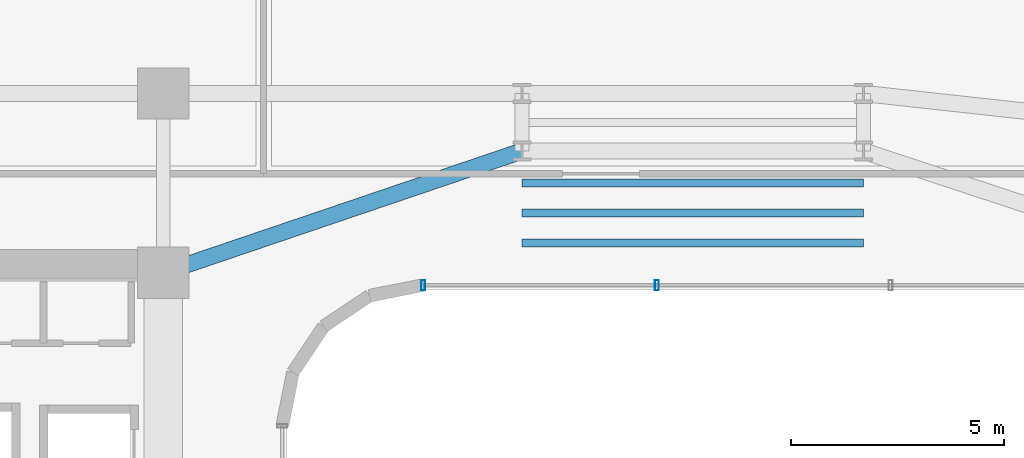
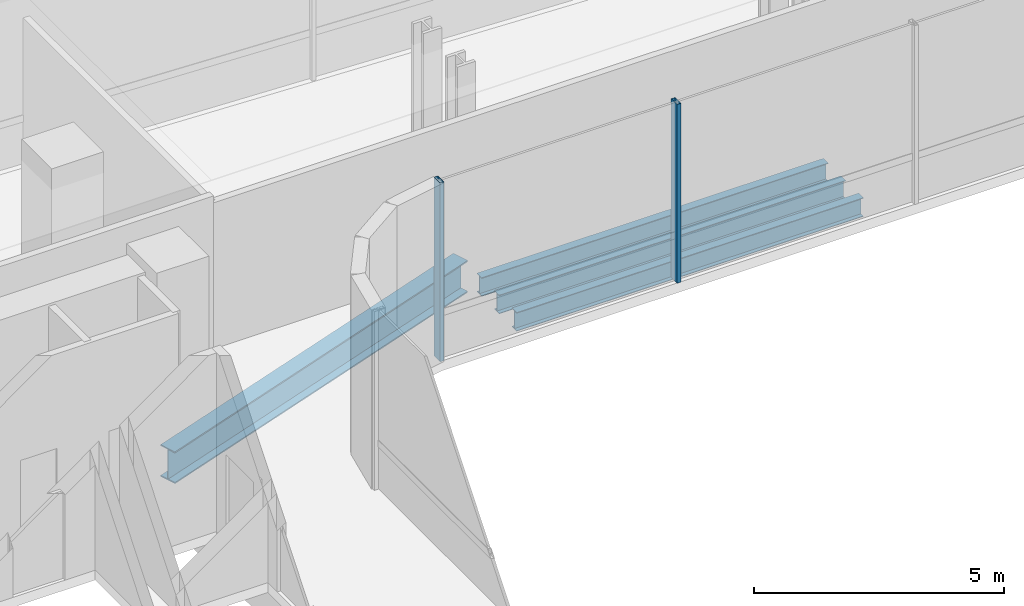
# One storey, part 10 of 32: 4 beams, 2 members, 1 element without a shape of its own.
"""IFC4 building model written with IfcOpenShell, lengths in metres."""

from ifc_helpers import new_model, si_unit, direction, frame, origin, origin_2d, place, context, subcontext, project, spatial, hollow_rectangle, i_section, extrude, source, transform, mapped, material, material_profile, profile_set, type_object, element, aggregate, save


model = new_model("IFC4")

# Units and contexts
model_context = context("Model", 3, precision=1e-05, world=origin(), true_north=direction((0.0, 1.0)))
body_context = subcontext(model_context, "Body", "Model", "MODEL_VIEW")
ifc_project = project(units=[si_unit("LENGTHUNIT", "METRE"), si_unit("AREAUNIT", "SQUARE_METRE"), si_unit("VOLUMEUNIT", "CUBIC_METRE"), si_unit("PLANEANGLEUNIT", "RADIAN"), si_unit("MASSUNIT", "GRAM", prefix="KILO")], contexts=[model_context])

# Site, building, storey
site_placement = place(None, origin())
site = spatial("IfcSite", under=ifc_project, at=site_placement, CompositionType="ELEMENT")
building_placement = place(site_placement, origin())
building = spatial("IfcBuilding", under=site, at=building_placement, Name="Valdorenza Pilgrim Sanctuary Tower", CompositionType="ELEMENT")
storey_placement = place(building_placement, frame((0.0, 0.0, 101.10009765625)))
storey = spatial("IfcBuildingStorey", under=building, at=storey_placement, Name="L25", CompositionType="ELEMENT", Elevation=101.10009765625)

# Beams
ifc_material_1 = material(Name="Steel ASTM A992 Grade 50", Category="steel")
ifc_material_profile_1 = material_profile(ifc_material_1, i_section(OverallWidth=0.382080078125, OverallDepth=0.779052734375, WebThickness=0.01806640625, FlangeThickness=0.030029296875, at=origin_2d()), Name="W30X191")
ifc_profile_set_1 = profile_set([ifc_material_profile_1], Name="Steel ASTM A992 Grade 50")
beam_type_1 = type_object("IfcBeamType", Name="STR-BM-GRD-W30", PredefinedType="BEAM", material=ifc_profile_set_1)
shared_shape_1 = source(origin(), body_context, "Body", "SweptSolid", [
    extrude(i_section(OverallWidth=0.382080078125, OverallDepth=0.779052734375, WebThickness=0.01806640625, FlangeThickness=0.030029296875, at=origin_2d()), origin(), (0.0, 0.0, 1.0), 8.8701171875),
])
beam_placement = place(storey_placement, frame((-12.39990234375, 10.60009765625, -0.629638671875), z_axis=(0.946982588361, 0.321284885018, 0.0), x_axis=(-0.321284885018, 0.946982588361, 0.0)))
element("IfcBeam", 1, at=beam_placement, inside=storey, type_object=beam_type_1, Name="L25 Floor Girder KNK-G1", PredefinedType="BEAM", context=body_context, shape_type="MappedRepresentation", body=[
    mapped(shared_shape_1, transform((0.0, 0.0, 0.0), x_axis=(1.0, 0.0, 0.0), y_axis=(0.0, 1.0, 0.0), z_axis=(0.0, 0.0, 1.0), scale=1.0)),
])
ifc_material_profile_2 = material_profile(ifc_material_1, i_section(OverallWidth=0.19091796875, OverallDepth=0.45703125, WebThickness=0.009033203125, FlangeThickness=0.014404296875, at=origin_2d()), Name="W18X50")
ifc_profile_set_2 = profile_set([ifc_material_profile_2], Name="Steel ASTM A992 Grade 50")
beam_type_2 = type_object("IfcBeamType", Name="STR-BM-JST-W18B", PredefinedType="JOIST", material=ifc_profile_set_2)
shared_shape_2 = source(origin(), body_context, "Body", "SweptSolid", [
    extrude(i_section(OverallWidth=0.19091796875, OverallDepth=0.45703125, WebThickness=0.009033203125, FlangeThickness=0.014404296875, at=origin_2d()), origin(), (0.0, 0.0, 1.0), 8.0),
])
for number, where, z_axis, x_axis, name in (
    (2, (-4.0, 11.300048828125, -0.468505859375), (1.0, 0.0, 0.0), (0.0, 1.0, 0.0), "L25 Knuckle Composite Joist JST-KNK-1"),
    (3, (-4.0, 12.0, -0.468505859375), (1.0, 0.0, 0.0), (0.0, 1.0, 0.0), "L25 Knuckle Composite Joist JST-KNK-2"),
    (4, (-4.0, 12.699951171875, -0.468505859375), (1.0, 0.0, 0.0), (0.0, 1.0, 0.0), "L25 Knuckle Composite Joist JST-KNK-3"),
):
    element("IfcBeam", number, at=place(storey_placement, frame(where, z_axis=z_axis, x_axis=x_axis)), inside=storey, type_object=beam_type_2, Name=name, PredefinedType="JOIST", context=body_context, shape_type="MappedRepresentation", body=[
        mapped(shared_shape_2, transform((0.0, 0.0, 0.0), x_axis=(1.0, 0.0, 0.0), y_axis=(0.0, 1.0, 0.0), z_axis=(0.0, 0.0, 1.0), scale=1.0)),
    ])

# Curtain wall, members
ifc_material_2 = material(Name="Curtain-wall IGU glazing", Category="glass")
curtain_wall_type = type_object("IfcCurtainWallType", Name="CW-SYS-04", PredefinedType="NOTDEFINED", material=ifc_material_2)
curtain_wall_placement = place(storey_placement, origin())
curtain_wall = element("IfcCurtainWall", 5, at=curtain_wall_placement, inside=storey, type_object=curtain_wall_type, Name="L25 Curtain Wall CW-L25-1-36", PredefinedType="NOTDEFINED")
ifc_material_3 = material(Name="Anodised aluminium AW-6060", Category="aluminium")
ifc_material_profile_3 = material_profile(ifc_material_3, hollow_rectangle(XDim=0.090087890625, YDim=0.239990234375, WallThickness=0.0048828125, at=origin_2d()), Name="ALU-M 240x90x5")
ifc_profile_set_3 = profile_set([ifc_material_profile_3], Name="Anodised aluminium AW-6060")
member_type = type_object("IfcMemberType", Name="CW-MUL-04", PredefinedType="MULLION", material=ifc_profile_set_3)
shared_shape_3 = source(origin(), body_context, "Body", "SweptSolid", [
    extrude(hollow_rectangle(XDim=0.090087890625, YDim=0.239990234375, WallThickness=0.0048828125, at=origin_2d()), origin(), (0.0, 0.0, 1.0), 4.35986328125),
])
member_1_placement = place(storey_placement, frame((-0.8369140625, 10.31005859375, 0.0), z_axis=(0.0, 0.0, 1.0), x_axis=(-1.0, 0.0, 0.0)))
member_1 = element("IfcMember", 6, at=member_1_placement, type_object=member_type, Name="CW-L25-1-36 Mullion 3", PredefinedType="MULLION", context=body_context, shape_type="MappedRepresentation", body=[
    mapped(shared_shape_3, transform((0.0, 0.0, 0.0), x_axis=(1.0, 0.0, 0.0), y_axis=(0.0, 1.0, 0.0), z_axis=(0.0, 0.0, 1.0), scale=1.0)),
])
member_2_placement = place(storey_placement, frame((-6.310791015625, 10.31005859375, 0.0), z_axis=(0.0, 0.0, 1.0), x_axis=(-1.0, 0.0, 0.0)))
member_2 = element("IfcMember", 7, at=member_2_placement, type_object=member_type, Name="CW-L25-1-36 Mullion 4", PredefinedType="MULLION", context=body_context, shape_type="MappedRepresentation", body=[
    mapped(shared_shape_3, transform((0.0, 0.0, 0.0), x_axis=(1.0, 0.0, 0.0), y_axis=(0.0, 1.0, 0.0), z_axis=(0.0, 0.0, 1.0), scale=1.0)),
])
aggregate(curtain_wall, [member_1, member_2])

save(model, "model.ifc")
